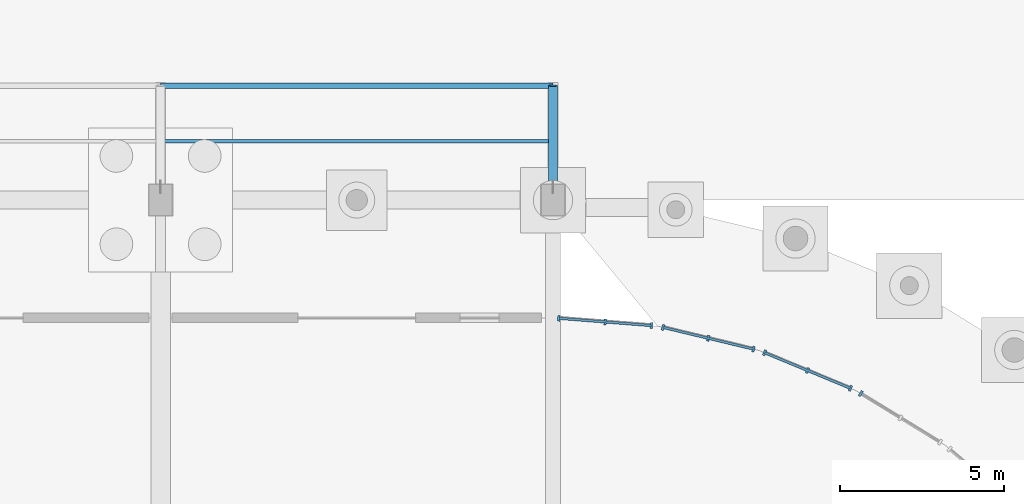
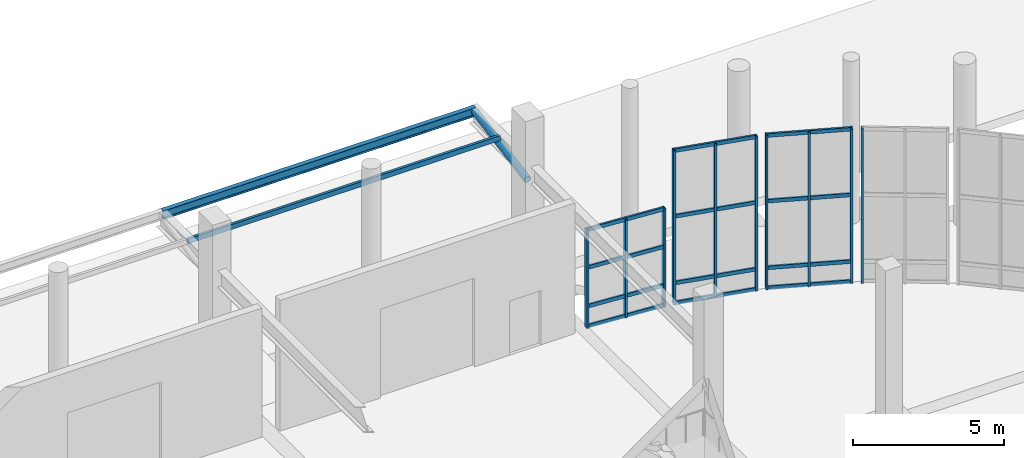
# One storey, part 60 of 117: 24 members, 1 beam, 4 elements without a shape of their own.
"""IFC4 building model written with IfcOpenShell, lengths in metres."""

from ifc_helpers import new_model, si_unit, direction, frame, origin, origin_2d, place, context, subcontext, project, spatial, rectangle, hollow_rectangle, hollow_circle, i_section, extrude, material, material_profile, profile_set, type_object, element, aggregate, save


model = new_model("IFC4")

# Units and contexts
model_context = context("Model", 3, precision=1e-05, world=origin(), true_north=direction((0.0, 1.0)))
body_context = subcontext(model_context, "Body", "Model", "MODEL_VIEW")
ifc_project = project(units=[si_unit("LENGTHUNIT", "METRE"), si_unit("AREAUNIT", "SQUARE_METRE"), si_unit("VOLUMEUNIT", "CUBIC_METRE"), si_unit("PLANEANGLEUNIT", "RADIAN"), si_unit("MASSUNIT", "GRAM", prefix="KILO")], contexts=[model_context])

# Site, building, storey
site_placement = place(None, origin())
site = spatial("IfcSite", under=ifc_project, at=site_placement, CompositionType="ELEMENT")
building_placement = place(site_placement, origin())
building = spatial("IfcBuilding", under=site, at=building_placement, Name="Kamomehara Wholesale Market", CompositionType="ELEMENT")
storey_placement = place(building_placement, origin())
storey = spatial("IfcBuildingStorey", under=building, at=storey_placement, Name="L00", CompositionType="ELEMENT", Elevation=0.0)

# Beam
ifc_material_1 = material(Name="Steel SN400B", Category="steel")
ifc_material_profile_1 = material_profile(ifc_material_1, i_section(OverallWidth=0.175048828125, OverallDepth=0.35009765625, WebThickness=0.007080078125, FlangeThickness=0.010986328125, FilletRadius=0.012939453125, at=origin_2d()), Name="H-350x175x7x11")
ifc_profile_set_1 = profile_set([ifc_material_profile_1], Name="Steel SN400B")
beam_type = type_object("IfcBeamType", Name="BM-ST-H350-EXT", PredefinedType="JOIST", material=ifc_profile_set_1)
beam_placement = place(storey_placement, frame((168.0, 159.5, 4.52490234375), z_axis=(1.0, 0.0, 0.0), x_axis=(0.0, 1.0, 0.0)))
element("IfcBeam", 1, at=beam_placement, inside=storey, type_object=beam_type, Name="Beam SJ-04E L00", PredefinedType="JOIST", context=body_context, shape_type="SweptSolid", body=[
    extrude(i_section(OverallWidth=0.175048828125, OverallDepth=0.35009765625, WebThickness=0.007080078125, FlangeThickness=0.010986328125, FilletRadius=0.012939453125, at=origin_2d()), origin(), (0.0, 0.0, 1.0), 12.0),
])

# Curtain wall, members
ifc_material_2 = material(Name="Anodised aluminium 6063-T5", Category="aluminium")
curtain_wall_type = type_object("IfcCurtainWallType", Name="CW-UN-07", PredefinedType="NOTDEFINED", material=ifc_material_2)
curtain_wall_1_placement = place(storey_placement, origin())
curtain_wall_1 = element("IfcCurtainWall", 2, at=curtain_wall_1_placement, inside=storey, type_object=curtain_wall_type, Name="Unitised curtain wall CW-029", PredefinedType="NOTDEFINED")
ifc_material_3 = material(Name="Anodised aluminium 6063-T5", Category="aluminium")
ifc_material_profile_2 = material_profile(ifc_material_3, rectangle(XDim=0.074951171875, YDim=0.179931640625, at=origin_2d()), Name="ALU-MUL-75x180")
ifc_profile_set_2 = profile_set([ifc_material_profile_2], Name="Anodised aluminium 6063-T5")
member_type_1 = type_object("IfcMemberType", Name="CW-MUL-180", PredefinedType="MULLION", material=ifc_profile_set_2)
member_1_placement = place(storey_placement, frame((180.178955078125, 152.385986328125, 0.0), z_axis=(0.0, 0.0, 1.0), x_axis=(0.99691623814, -0.078473015312, 0.0)))
member_1 = element("IfcMember", 3, at=member_1_placement, type_object=member_type_1, Name="Mullion CW-029.0", PredefinedType="MULLION", context=body_context, shape_type="SweptSolid", body=[
    extrude(rectangle(XDim=0.074951171875, YDim=0.179931640625, at=origin_2d()), origin(), (0.0, 0.0, 1.0), 3.988037109375),
])
member_2_placement = place(storey_placement, frame((181.595947265625, 152.27392578125, 0.0), z_axis=(0.0, 0.0, 1.0), x_axis=(0.99691623814, -0.078473015312, 0.0)))
member_2 = element("IfcMember", 4, at=member_2_placement, type_object=member_type_1, Name="Mullion CW-029.1", PredefinedType="MULLION", context=body_context, shape_type="SweptSolid", body=[
    extrude(rectangle(XDim=0.074951171875, YDim=0.179931640625, at=origin_2d()), origin(), (0.0, 0.0, 1.0), 3.988037109375),
])
member_3_placement = place(storey_placement, frame((183.011962890625, 152.1630859375, 0.0), z_axis=(0.0, 0.0, 1.0), x_axis=(0.99691623814, -0.078473015312, 0.0)))
member_3 = element("IfcMember", 5, at=member_3_placement, type_object=member_type_1, Name="Mullion CW-029.2", PredefinedType="MULLION", context=body_context, shape_type="SweptSolid", body=[
    extrude(rectangle(XDim=0.074951171875, YDim=0.179931640625, at=origin_2d()), origin(), (0.0, 0.0, 1.0), 3.988037109375),
])

curtain_wall_2_placement = place(storey_placement, origin())
curtain_wall_2 = element("IfcCurtainWall", 6, at=curtain_wall_2_placement, inside=storey, type_object=curtain_wall_type, Name="Unitised curtain wall CW-030", PredefinedType="NOTDEFINED")
member_4_placement = place(storey_placement, frame((183.365966796875, 152.10693359375, 0.0), z_axis=(0.0, 0.0, 1.0), x_axis=(0.972396804922, -0.233333353333, 0.0)))
member_4 = element("IfcMember", 7, at=member_4_placement, type_object=member_type_1, Name="Mullion CW-030.0", PredefinedType="MULLION", context=body_context, shape_type="SweptSolid", body=[
    extrude(rectangle(XDim=0.074951171875, YDim=0.179931640625, at=origin_2d()), origin(), (0.0, 0.0, 1.0), 6.2548828125),
])
member_5_placement = place(storey_placement, frame((184.748046875, 151.77490234375, 0.0), z_axis=(0.0, 0.0, 1.0), x_axis=(0.972396804922, -0.233333353333, 0.0)))
member_5 = element("IfcMember", 8, at=member_5_placement, type_object=member_type_1, Name="Mullion CW-030.1", PredefinedType="MULLION", context=body_context, shape_type="SweptSolid", body=[
    extrude(rectangle(XDim=0.074951171875, YDim=0.179931640625, at=origin_2d()), origin(), (0.0, 0.0, 1.0), 6.2548828125),
])
member_6_placement = place(storey_placement, frame((186.12890625, 151.444091796875, 0.0), z_axis=(0.0, 0.0, 1.0), x_axis=(0.972396804922, -0.233333353333, 0.0)))
member_6 = element("IfcMember", 9, at=member_6_placement, type_object=member_type_1, Name="Mullion CW-030.2", PredefinedType="MULLION", context=body_context, shape_type="SweptSolid", body=[
    extrude(rectangle(XDim=0.074951171875, YDim=0.179931640625, at=origin_2d()), origin(), (0.0, 0.0, 1.0), 6.2548828125),
])

curtain_wall_3_placement = place(storey_placement, origin())
curtain_wall_3 = element("IfcCurtainWall", 10, at=curtain_wall_3_placement, inside=storey, type_object=curtain_wall_type, Name="Unitised curtain wall CW-031", PredefinedType="NOTDEFINED")
member_7_placement = place(storey_placement, frame((186.469970703125, 151.3330078125, 0.0), z_axis=(0.0, 0.0, 1.0), x_axis=(0.923918266476, -0.382589906914, 0.0)))
member_7 = element("IfcMember", 11, at=member_7_placement, type_object=member_type_1, Name="Mullion CW-031.0", PredefinedType="MULLION", context=body_context, shape_type="SweptSolid", body=[
    extrude(rectangle(XDim=0.074951171875, YDim=0.179931640625, at=origin_2d()), origin(), (0.0, 0.0, 1.0), 6.2548828125),
])
member_8_placement = place(storey_placement, frame((187.781982421875, 150.7900390625, 0.0), z_axis=(0.0, 0.0, 1.0), x_axis=(0.923918266476, -0.382589906914, 0.0)))
member_8 = element("IfcMember", 12, at=member_8_placement, type_object=member_type_1, Name="Mullion CW-031.1", PredefinedType="MULLION", context=body_context, shape_type="SweptSolid", body=[
    extrude(rectangle(XDim=0.074951171875, YDim=0.179931640625, at=origin_2d()), origin(), (0.0, 0.0, 1.0), 6.2548828125),
])
member_9_placement = place(storey_placement, frame((189.094970703125, 150.24609375, 0.0), z_axis=(0.0, 0.0, 1.0), x_axis=(0.923918266476, -0.382589906914, 0.0)))
member_9 = element("IfcMember", 13, at=member_9_placement, type_object=member_type_1, Name="Mullion CW-031.2", PredefinedType="MULLION", context=body_context, shape_type="SweptSolid", body=[
    extrude(rectangle(XDim=0.074951171875, YDim=0.179931640625, at=origin_2d()), origin(), (0.0, 0.0, 1.0), 6.2548828125),
])

# Curtain wall, member
curtain_wall_4_placement = place(storey_placement, origin())
curtain_wall_4 = element("IfcCurtainWall", 14, at=curtain_wall_4_placement, inside=storey, type_object=curtain_wall_type, Name="Unitised curtain wall CW-032", PredefinedType="NOTDEFINED")
member_10_placement = place(storey_placement, frame((189.4140625, 150.0830078125, 0.0), z_axis=(0.0, 0.0, 1.0), x_axis=(0.852707640213, -0.52238843816, 0.0)))
member_10 = element("IfcMember", 15, at=member_10_placement, type_object=member_type_1, Name="Mullion CW-032.0", PredefinedType="MULLION", context=body_context, shape_type="SweptSolid", body=[
    extrude(rectangle(XDim=0.074951171875, YDim=0.179931640625, at=origin_2d()), origin(), (0.0, 0.0, 1.0), 6.2548828125),
])
aggregate(curtain_wall_4, [member_10])

# Member
ifc_material_4 = material(Name="Anodised aluminium 6063-T5", Category="aluminium")
ifc_material_profile_3 = material_profile(ifc_material_4, rectangle(XDim=0.074951171875, YDim=0.14990234375, at=origin_2d()), Name="ALU-TRN-75x150")
ifc_profile_set_3 = profile_set([ifc_material_profile_3], Name="Anodised aluminium 6063-T5")
member_type_2 = type_object("IfcMemberType", Name="CW-TRN-150", PredefinedType="USERDEFINED", material=ifc_profile_set_3)
member_11_placement = place(storey_placement, frame((180.178955078125, 152.385986328125, 0.0400390625), z_axis=(0.996919044391, -0.078437356733, 0.0), x_axis=(0.078437356733, 0.996919044391, 0.0)))
member_11 = element("IfcMember", 16, at=member_11_placement, type_object=member_type_2, Name="Transom CW-029.0", ObjectType="TRANSOM", PredefinedType="USERDEFINED", context=body_context, shape_type="SweptSolid", body=[
    extrude(rectangle(XDim=0.074951171875, YDim=0.14990234375, at=origin_2d()), origin(), (0.0, 0.0, 1.0), 2.841796875),
])

member_12_placement = place(storey_placement, frame((180.178955078125, 152.385986328125, 0.85009765625), z_axis=(0.996919044391, -0.078437356733, 0.0), x_axis=(0.078437356733, 0.996919044391, 0.0)))
member_12 = element("IfcMember", 17, at=member_12_placement, type_object=member_type_2, Name="Transom CW-029.1", ObjectType="TRANSOM", PredefinedType="USERDEFINED", context=body_context, shape_type="SweptSolid", body=[
    extrude(rectangle(XDim=0.074951171875, YDim=0.14990234375, at=origin_2d()), origin(), (0.0, 0.0, 1.0), 2.841796875),
])

member_13_placement = place(storey_placement, frame((180.178955078125, 152.385986328125, 2.4189453125), z_axis=(0.996919044391, -0.078437356733, 0.0), x_axis=(0.078437356733, 0.996919044391, 0.0)))
member_13 = element("IfcMember", 18, at=member_13_placement, type_object=member_type_2, Name="Transom CW-029.2", ObjectType="TRANSOM", PredefinedType="USERDEFINED", context=body_context, shape_type="SweptSolid", body=[
    extrude(rectangle(XDim=0.074951171875, YDim=0.14990234375, at=origin_2d()), origin(), (0.0, 0.0, 1.0), 2.841796875),
])

member_14_placement = place(storey_placement, frame((180.178955078125, 152.385986328125, 3.947998046875), z_axis=(0.996919044391, -0.078437356733, 0.0), x_axis=(0.078437356733, 0.996919044391, 0.0)))
member_14 = element("IfcMember", 19, at=member_14_placement, type_object=member_type_2, Name="Transom CW-029.3", ObjectType="TRANSOM", PredefinedType="USERDEFINED", context=body_context, shape_type="SweptSolid", body=[
    extrude(rectangle(XDim=0.074951171875, YDim=0.14990234375, at=origin_2d()), origin(), (0.0, 0.0, 1.0), 2.841796875),
])

aggregate(curtain_wall_1, [member_1, member_2, member_3, member_11, member_12, member_13, member_14])

member_15_placement = place(storey_placement, frame((183.365966796875, 152.10693359375, 0.0400390625), z_axis=(0.972408356691, -0.23328520707, 0.0), x_axis=(0.23328520707, 0.972408356691, 0.0)))
member_15 = element("IfcMember", 20, at=member_15_placement, type_object=member_type_2, Name="Transom CW-030.0", ObjectType="TRANSOM", PredefinedType="USERDEFINED", context=body_context, shape_type="SweptSolid", body=[
    extrude(rectangle(XDim=0.074951171875, YDim=0.14990234375, at=origin_2d()), origin(), (0.0, 0.0, 1.0), 2.84130859375),
])

member_16_placement = place(storey_placement, frame((183.365966796875, 152.10693359375, 0.85009765625), z_axis=(0.972408356691, -0.23328520707, 0.0), x_axis=(0.23328520707, 0.972408356691, 0.0)))
member_16 = element("IfcMember", 21, at=member_16_placement, type_object=member_type_2, Name="Transom CW-030.1", ObjectType="TRANSOM", PredefinedType="USERDEFINED", context=body_context, shape_type="SweptSolid", body=[
    extrude(rectangle(XDim=0.074951171875, YDim=0.14990234375, at=origin_2d()), origin(), (0.0, 0.0, 1.0), 2.84130859375),
])

member_17_placement = place(storey_placement, frame((183.365966796875, 152.10693359375, 3.552001953125), z_axis=(0.972408356691, -0.23328520707, 0.0), x_axis=(0.23328520707, 0.972408356691, 0.0)))
member_17 = element("IfcMember", 22, at=member_17_placement, type_object=member_type_2, Name="Transom CW-030.2", ObjectType="TRANSOM", PredefinedType="USERDEFINED", context=body_context, shape_type="SweptSolid", body=[
    extrude(rectangle(XDim=0.074951171875, YDim=0.14990234375, at=origin_2d()), origin(), (0.0, 0.0, 1.0), 2.84130859375),
])

member_18_placement = place(storey_placement, frame((183.365966796875, 152.10693359375, 6.215087890625), z_axis=(0.972408356691, -0.23328520707, 0.0), x_axis=(0.23328520707, 0.972408356691, 0.0)))
member_18 = element("IfcMember", 23, at=member_18_placement, type_object=member_type_2, Name="Transom CW-030.3", ObjectType="TRANSOM", PredefinedType="USERDEFINED", context=body_context, shape_type="SweptSolid", body=[
    extrude(rectangle(XDim=0.074951171875, YDim=0.14990234375, at=origin_2d()), origin(), (0.0, 0.0, 1.0), 2.84130859375),
])

aggregate(curtain_wall_2, [member_4, member_5, member_6, member_15, member_16, member_17, member_18])

member_19_placement = place(storey_placement, frame((186.469970703125, 151.3330078125, 0.0400390625), z_axis=(0.923928870591, -0.382564297979, 0.0), x_axis=(0.382564297979, 0.923928870591, 0.0)))
member_19 = element("IfcMember", 24, at=member_19_placement, type_object=member_type_2, Name="Transom CW-031.0", ObjectType="TRANSOM", PredefinedType="USERDEFINED", context=body_context, shape_type="SweptSolid", body=[
    extrude(rectangle(XDim=0.074951171875, YDim=0.14990234375, at=origin_2d()), origin(), (0.0, 0.0, 1.0), 2.841064453125),
])

member_20_placement = place(storey_placement, frame((186.469970703125, 151.3330078125, 0.85009765625), z_axis=(0.923928870591, -0.382564297979, 0.0), x_axis=(0.382564297979, 0.923928870591, 0.0)))
member_20 = element("IfcMember", 25, at=member_20_placement, type_object=member_type_2, Name="Transom CW-031.1", ObjectType="TRANSOM", PredefinedType="USERDEFINED", context=body_context, shape_type="SweptSolid", body=[
    extrude(rectangle(XDim=0.074951171875, YDim=0.14990234375, at=origin_2d()), origin(), (0.0, 0.0, 1.0), 2.841064453125),
])

member_21_placement = place(storey_placement, frame((186.469970703125, 151.3330078125, 3.552001953125), z_axis=(0.923928870591, -0.382564297979, 0.0), x_axis=(0.382564297979, 0.923928870591, 0.0)))
member_21 = element("IfcMember", 26, at=member_21_placement, type_object=member_type_2, Name="Transom CW-031.2", ObjectType="TRANSOM", PredefinedType="USERDEFINED", context=body_context, shape_type="SweptSolid", body=[
    extrude(rectangle(XDim=0.074951171875, YDim=0.14990234375, at=origin_2d()), origin(), (0.0, 0.0, 1.0), 2.841064453125),
])

member_22_placement = place(storey_placement, frame((186.469970703125, 151.3330078125, 6.215087890625), z_axis=(0.923928870591, -0.382564297979, 0.0), x_axis=(0.382564297979, 0.923928870591, 0.0)))
member_22 = element("IfcMember", 27, at=member_22_placement, type_object=member_type_2, Name="Transom CW-031.3", ObjectType="TRANSOM", PredefinedType="USERDEFINED", context=body_context, shape_type="SweptSolid", body=[
    extrude(rectangle(XDim=0.074951171875, YDim=0.14990234375, at=origin_2d()), origin(), (0.0, 0.0, 1.0), 2.841064453125),
])

aggregate(curtain_wall_3, [member_7, member_8, member_9, member_19, member_20, member_21, member_22])

# Members
ifc_material_5 = material(Name="Steel SN490B", Category="steel")
ifc_material_profile_4 = material_profile(ifc_material_5, hollow_circle(Radius=0.1337890625, WallThickness=0.00927734375, at=origin_2d()), Name="CHS-267.4x9.3")
ifc_profile_set_4 = profile_set([ifc_material_profile_4], Name="Steel SN490B")
member_type_3 = type_object("IfcMemberType", Name="MEM-BR-CHS267", PredefinedType="BRACE", material=ifc_profile_set_4)
member_23_placement = place(storey_placement, frame((180.0, 156.0, 3.85009765625), z_axis=(0.0, 0.983193660537, 0.182565675527), x_axis=(-1.0, 0.0, 0.0)))
element("IfcMember", 28, at=member_23_placement, inside=storey, type_object=member_type_3, Name="Freight canopy brace V1 180", PredefinedType="BRACE", context=body_context, shape_type="SweptSolid", body=[
    extrude(hollow_circle(Radius=0.1337890625, WallThickness=0.00927734375, at=origin_2d()), origin(), (0.0, 0.0, 1.0), 3.559814453125),
])
ifc_material_6 = material(Name="Steel SN400B", Category="steel")
ifc_material_profile_5 = material_profile(ifc_material_6, hollow_rectangle(XDim=0.10009765625, YDim=0.199951171875, WallThickness=0.006103515625, at=origin_2d()), Name="RHS-200x100x6")
ifc_profile_set_5 = profile_set([ifc_material_profile_5], Name="Steel SN400B")
member_type_4 = type_object("IfcMemberType", Name="MEM-PR-RHS200x100", PredefinedType="PURLIN", material=ifc_profile_set_5)
member_24_placement = place(storey_placement, frame((168.0, 157.800048828125, 4.47998046875), z_axis=(1.0, 0.0, 0.0), x_axis=(0.0, 1.0, 0.0)))
element("IfcMember", 29, at=member_24_placement, inside=storey, type_object=member_type_4, Name="Freight canopy purlin V1 168", PredefinedType="PURLIN", context=body_context, shape_type="SweptSolid", body=[
    extrude(hollow_rectangle(XDim=0.10009765625, YDim=0.199951171875, WallThickness=0.006103515625, at=origin_2d()), origin(), (0.0, 0.0, 1.0), 12.0),
])

save(model, "model.ifc")
